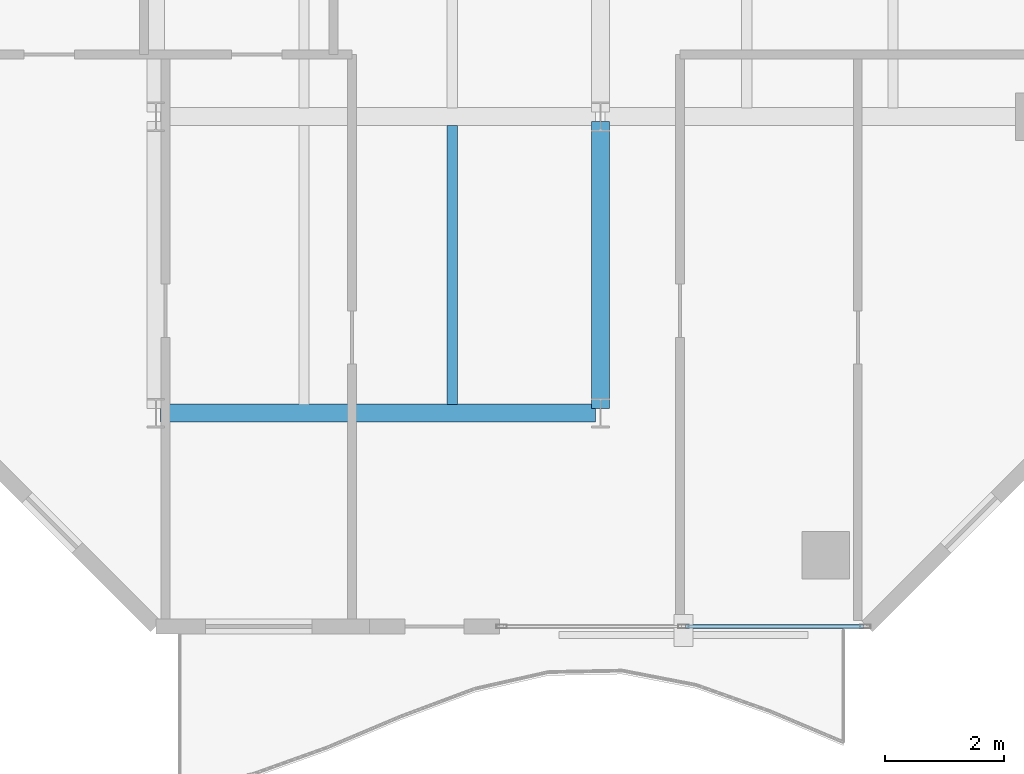
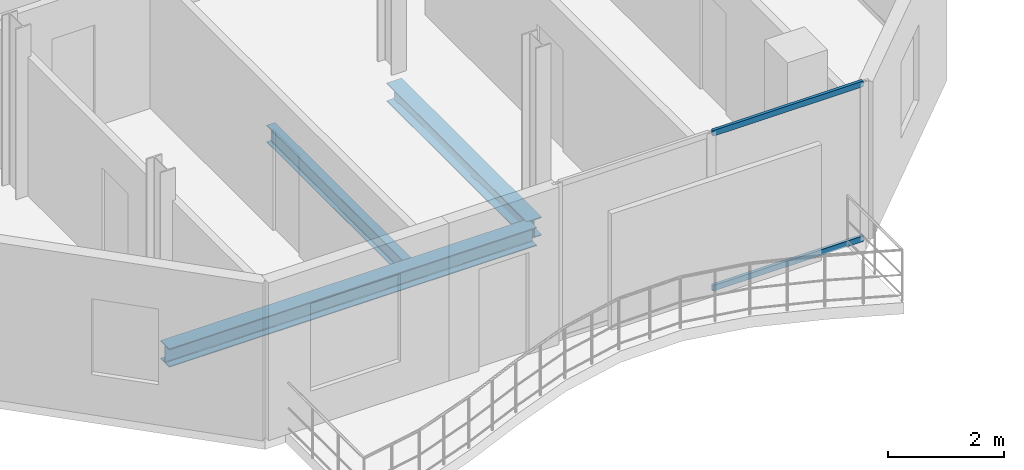
# One storey, part 4 of 24: 3 beams, 2 members, 1 element without a shape of its own.
"""IFC4 building model written with IfcOpenShell, lengths in metres."""

from ifc_helpers import new_model, si_unit, direction, frame, origin, origin_2d, place, context, subcontext, project, spatial, hollow_rectangle, i_section, extrude, material, layer, layer_set, material_profile, profile_set, type_object, element, aggregate, save


model = new_model("IFC4")

# Units and contexts
model_context = context("Model", 3, precision=1e-05, world=origin(), true_north=direction((0.0, 1.0)))
body_context = subcontext(model_context, "Body", "Model", "MODEL_VIEW")
ifc_project = project(units=[si_unit("LENGTHUNIT", "METRE"), si_unit("AREAUNIT", "SQUARE_METRE"), si_unit("VOLUMEUNIT", "CUBIC_METRE"), si_unit("PLANEANGLEUNIT", "RADIAN"), si_unit("MASSUNIT", "GRAM", prefix="KILO")], contexts=[model_context])

# Site, building, storey
site_placement = place(None, origin())
site = spatial("IfcSite", under=ifc_project, at=site_placement, CompositionType="ELEMENT")
building_placement = place(site_placement, origin())
building = spatial("IfcBuilding", under=site, at=building_placement, Name="Catumbela Crestline Tower", CompositionType="ELEMENT")
storey_placement = place(building_placement, frame((0.0, 0.0, 154.2)))
storey = spatial("IfcBuildingStorey", under=building, at=storey_placement, Name="L39", CompositionType="ELEMENT", Elevation=154.2)

# Beams
ifc_material_1 = material(Name="Structural steel S355J2", Category="steel")
ifc_material_profile_1 = material_profile(ifc_material_1, i_section(OverallWidth=0.3, OverallDepth=0.39, WebThickness=0.011, FlangeThickness=0.019, FilletRadius=0.027, at=origin_2d()), Name="HEA 400")
ifc_profile_set_1 = profile_set([ifc_material_profile_1], Name="Structural steel S355J2")
beam_type_1 = type_object("IfcBeamType", Name="BG-HEA400", PredefinedType="BEAM", material=ifc_profile_set_1)
beam_1_placement = place(storey_placement, frame((8.58, 8.6, -0.455), z_axis=(1.0, 0.0, 0.0), x_axis=(0.0, 1.0, 0.0)))
element("IfcBeam", 1, at=beam_1_placement, inside=storey, type_object=beam_type_1, Name="L39 Beam BM-L39-WEW32", PredefinedType="BEAM", context=body_context, shape_type="SweptSolid", body=[
    extrude(i_section(OverallWidth=0.3, OverallDepth=0.39, WebThickness=0.011, FlangeThickness=0.019, FilletRadius=0.027, at=origin_2d()), origin(), (0.0, 0.0, 1.0), 7.34),
])
beam_2_placement = place(storey_placement, frame((16.0, 8.68, -0.455), z_axis=(0.0, 1.0, 0.0), x_axis=(-1.0, 0.0, 0.0)))
element("IfcBeam", 2, at=beam_2_placement, inside=storey, type_object=beam_type_1, Name="L39 Beam BM-L39-WNS40", PredefinedType="BEAM", context=body_context, shape_type="SweptSolid", body=[
    extrude(i_section(OverallWidth=0.3, OverallDepth=0.39, WebThickness=0.011, FlangeThickness=0.019, FilletRadius=0.027, at=origin_2d()), origin(), (0.0, 0.0, 1.0), 4.84),
])
ifc_material_profile_2 = material_profile(ifc_material_1, i_section(OverallWidth=0.17, OverallDepth=0.36, WebThickness=0.008, FlangeThickness=0.0127, FilletRadius=0.018, at=origin_2d()), Name="IPE 360")
ifc_profile_set_2 = profile_set([ifc_material_profile_2], Name="Structural steel S355J2")
beam_type_2 = type_object("IfcBeamType", Name="BJ-IPE360", PredefinedType="JOIST", material=ifc_profile_set_2)
beam_3_placement = place(storey_placement, frame((13.5, 8.747, -0.44), z_axis=(0.0, 1.0, 0.0), x_axis=(-1.0, 0.0, 0.0)))
element("IfcBeam", 3, at=beam_3_placement, inside=storey, type_object=beam_type_2, Name="L39 Joist JS-L39-WG45", PredefinedType="JOIST", context=body_context, shape_type="SweptSolid", body=[
    extrude(i_section(OverallWidth=0.17, OverallDepth=0.36, WebThickness=0.008, FlangeThickness=0.0127, FilletRadius=0.018, at=origin_2d()), origin(), (0.0, 0.0, 1.0), 4.706),
])

# Curtain wall, members
ifc_material_2 = material(Name="Aluminium alloy AW-6060-T66", Category="aluminium")
ifc_layer = layer(ifc_material_2, 0.18, Name="Aluminium alloy AW-6060-T66")
ifc_layer_set = layer_set([ifc_layer], Name="Aluminium alloy AW-6060-T66")
curtain_wall_type = type_object("IfcCurtainWallType", Name="CWU-Z3", PredefinedType="USERDEFINED", material=ifc_layer_set)
curtain_wall_placement = place(storey_placement, origin())
curtain_wall = element("IfcCurtainWall", 4, at=curtain_wall_placement, inside=storey, type_object=curtain_wall_type, Name="L39 Unitised Curtain Wall CW-L39-E0S2", ObjectType="UNITISED", PredefinedType="USERDEFINED")
ifc_material_profile_3 = material_profile(ifc_material_2, hollow_rectangle(XDim=0.06, YDim=0.12, WallThickness=0.0035, at=origin_2d()), Name="ALU 120x60x3.5")
ifc_profile_set_3 = profile_set([ifc_material_profile_3], Name="Aluminium alloy AW-6060-T66")
member_type = type_object("IfcMemberType", Name="TRN-120X60", PredefinedType="USERDEFINED", material=ifc_profile_set_3)
member_1_placement = place(storey_placement, frame((17.4325, 5.0, 0.03), z_axis=(1.0, 0.0, 0.0), x_axis=(0.0, 1.0, 0.0)))
member_1 = element("IfcMember", 5, at=member_1_placement, type_object=member_type, Name="CWU-Z3 transom 2.1", ObjectType="TRANSOM", PredefinedType="USERDEFINED", context=body_context, shape_type="SweptSolid", body=[
    extrude(hollow_rectangle(XDim=0.06, YDim=0.12, WallThickness=0.0035, at=origin_2d()), origin(), (0.0, 0.0, 1.0), 3.0025),
])
member_2_placement = place(storey_placement, frame((17.4325, 5.0, 3.3), z_axis=(1.0, 0.0, 0.0), x_axis=(0.0, 1.0, 0.0)))
member_2 = element("IfcMember", 6, at=member_2_placement, type_object=member_type, Name="CWU-Z3 transom 2.2", ObjectType="TRANSOM", PredefinedType="USERDEFINED", context=body_context, shape_type="SweptSolid", body=[
    extrude(hollow_rectangle(XDim=0.06, YDim=0.12, WallThickness=0.0035, at=origin_2d()), origin(), (0.0, 0.0, 1.0), 3.0025),
])
aggregate(curtain_wall, [member_1, member_2])

save(model, "model.ifc")
